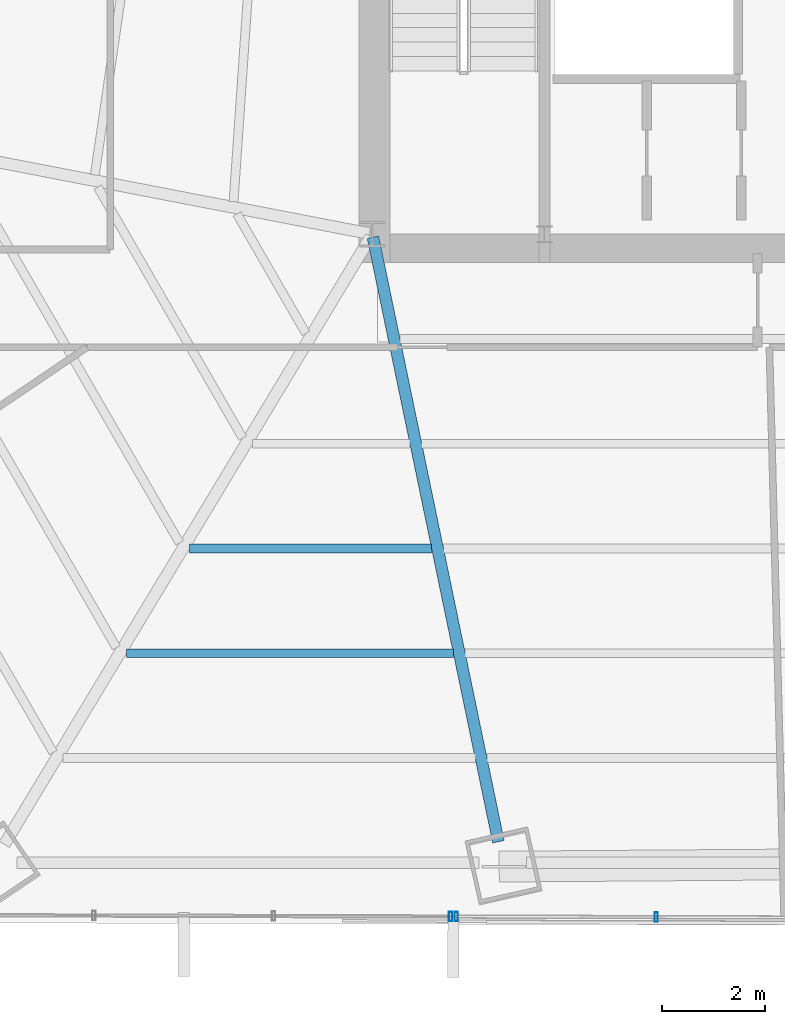
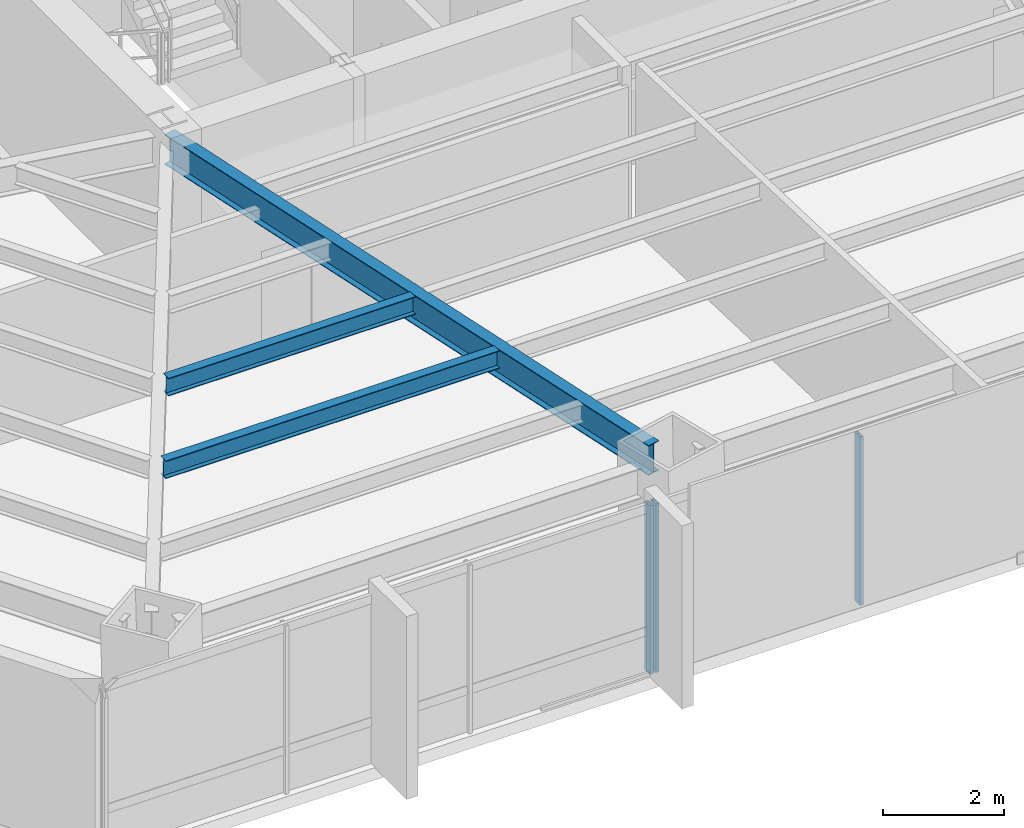
# One storey, part 5 of 33: 3 beams, 3 members, 2 elements without a shape of their own.
"""IFC4 building model written with IfcOpenShell, lengths in metres."""

from ifc_helpers import new_model, si_unit, direction, frame, origin, origin_2d, place, context, subcontext, project, spatial, hollow_rectangle, i_section, extrude, source, transform, mapped, material, material_profile, profile_set, type_object, type_shapes, element, aggregate, save


model = new_model("IFC4")

# Units and contexts
model_context = context("Model", 3, precision=1e-05, world=origin(), true_north=direction((0.0, 1.0)))
body_context = subcontext(model_context, "Body", "Model", "MODEL_VIEW")
ifc_project = project(units=[si_unit("LENGTHUNIT", "METRE"), si_unit("AREAUNIT", "SQUARE_METRE"), si_unit("VOLUMEUNIT", "CUBIC_METRE"), si_unit("PLANEANGLEUNIT", "RADIAN"), si_unit("MASSUNIT", "GRAM", prefix="KILO")], contexts=[model_context])

# Site, building, storey
site_placement = place(None, origin())
site = spatial("IfcSite", under=ifc_project, at=site_placement, CompositionType="ELEMENT")
building_placement = place(site_placement, origin())
building = spatial("IfcBuilding", under=site, at=building_placement, Name="Caelisora Broadcast Tower", CompositionType="ELEMENT")
storey_placement = place(building_placement, frame((0.0, 0.0, 42.199951171875)))
storey = spatial("IfcBuildingStorey", under=building, at=storey_placement, Name="L10", CompositionType="ELEMENT", Elevation=42.199951171875)

# Beams
ifc_material_1 = material(Name="Steel Grade 350 (AS/NZS 3679.1)", Category="steel")
ifc_material_profile_1 = material_profile(ifc_material_1, i_section(OverallWidth=0.22802734375, OverallDepth=0.602294921875, WebThickness=0.010498046875, FlangeThickness=0.014892578125, at=origin_2d()), Name="Steel Grade 350 (AS/NZS 3679.1)")
ifc_profile_set_1 = profile_set([ifc_material_profile_1], Name="Steel Grade 350 (AS/NZS 3679.1)")
beam_type_1 = type_object("IfcBeamType", Name="PG04", PredefinedType="BEAM", material=ifc_profile_set_1)
shared_shape_1 = source(origin(), body_context, "Body", "SweptSolid", [
    extrude(i_section(OverallWidth=0.22802734375, OverallDepth=0.602294921875, WebThickness=0.010498046875, FlangeThickness=0.014892578125, at=origin_2d()), origin(), (0.0, 0.0, 1.0), 12.01953125),
])
type_shapes(beam_type_1, [shared_shape_1])
beam_1_placement = place(storey_placement, frame((30.51220703125, 17.34130859375, 3.098876953125), z_axis=(0.203243645956, -0.979128194047, 0.0), x_axis=(0.979128194047, 0.203243645956, 0.0)))
element("IfcBeam", 1, at=beam_1_placement, inside=storey, type_object=beam_type_1, Name="L10 beam PG04", PredefinedType="BEAM", context=body_context, shape_type="MappedRepresentation", body=[
    mapped(shared_shape_1, transform((0.0, 0.0, 0.0), scale=1.0)),
])
ifc_material_profile_2 = material_profile(ifc_material_1, i_section(OverallWidth=0.172119140625, OverallDepth=0.358642578125, WebThickness=0.008056640625, FlangeThickness=0.012939453125, at=origin_2d()), Name="Steel Grade 350 (AS/NZS 3679.1)")
ifc_profile_set_2 = profile_set([ifc_material_profile_2], Name="Steel Grade 350 (AS/NZS 3679.1)")
beam_type_2 = type_object("IfcBeamType", Name="SB02", PredefinedType="JOIST", material=ifc_profile_set_2)
shared_shape_2 = source(origin(), body_context, "Body", "SweptSolid", [
    extrude(i_section(OverallWidth=0.172119140625, OverallDepth=0.358642578125, WebThickness=0.008056640625, FlangeThickness=0.012939453125, at=origin_2d()), origin(), (0.0, 0.0, 1.0), 4.716064453125),
])
beam_2_placement = place(storey_placement, frame((26.94091796875, 11.28076171875, 3.220703125), z_axis=(1.0, 0.0, 0.0), x_axis=(0.0, 1.0, 0.0)))
element("IfcBeam", 2, at=beam_2_placement, inside=storey, type_object=beam_type_2, Name="L10 beam SB02", PredefinedType="JOIST", context=body_context, shape_type="MappedRepresentation", body=[
    mapped(shared_shape_2, transform((0.0, 0.0, 0.0), scale=1.0)),
])
shared_shape_3 = source(origin(), body_context, "Body", "SweptSolid", [
    extrude(i_section(OverallWidth=0.172119140625, OverallDepth=0.358642578125, WebThickness=0.008056640625, FlangeThickness=0.012939453125, at=origin_2d()), origin(), (0.0, 0.0, 1.0), 6.369140625),
])
type_shapes(beam_type_2, [shared_shape_2, shared_shape_3])
beam_3_placement = place(storey_placement, frame((25.711181640625, 9.240966796875, 3.220703125), z_axis=(1.0, 0.0, 0.0), x_axis=(0.0, 1.0, 0.0)))
element("IfcBeam", 3, at=beam_3_placement, inside=storey, type_object=beam_type_2, Name="L10 beam SB02", PredefinedType="JOIST", context=body_context, shape_type="MappedRepresentation", body=[
    mapped(shared_shape_3, transform((0.0, 0.0, 0.0), scale=1.0)),
])

# Curtain wall, members
ifc_material_2 = material(Name="Unitised Aluminium Insulated Shadow-Box Spandrel Curtain Wall", Category="aluminium")
curtain_wall_type_1 = type_object("IfcCurtainWallType", Name="CW-SP1", PredefinedType="NOTDEFINED", material=ifc_material_2)
curtain_wall_1_placement = place(storey_placement, origin())
curtain_wall_1 = element("IfcCurtainWall", 4, at=curtain_wall_1_placement, inside=storey, type_object=curtain_wall_type_1, Name="L10 curtain wall CW-SP1", PredefinedType="NOTDEFINED")
ifc_material_3 = material(Name="Aluminium 6063-T6 Anodised Terracotta Bronze", Category="aluminium")
ifc_material_profile_3 = material_profile(ifc_material_3, hollow_rectangle(XDim=0.06494140625, YDim=0.179931640625, WallThickness=0.00341796875, at=origin_2d()), Name="Aluminium 6063-T6 Anodised Terracotta Bronze")
ifc_profile_set_3 = profile_set([ifc_material_profile_3], Name="Aluminium 6063-T6 Anodised Terracotta Bronze")
member_type = type_object("IfcMemberType", Name="CWM-02", PredefinedType="MULLION", material=ifc_profile_set_3)
shared_shape_4 = source(origin(), body_context, "Body", "SweptSolid", [
    extrude(hollow_rectangle(XDim=0.06494140625, YDim=0.179931640625, WallThickness=0.00341796875, at=origin_2d()), origin(), (0.0, 0.0, 1.0), 3.400146484375),
])
type_shapes(member_type, [shared_shape_4])
member_1_placement = place(storey_placement, frame((36.0263671875, 4.10595703125, 0.0), z_axis=(0.0, 0.0, 1.0), x_axis=(1.0, 0.0, 0.0)))
member_1 = element("IfcMember", 5, at=member_1_placement, type_object=member_type, Name="L10-CW-B06 mullion #2", PredefinedType="MULLION", context=body_context, shape_type="MappedRepresentation", body=[
    mapped(shared_shape_4, transform((0.0, 0.0, 0.0), scale=1.0)),
])
member_2_placement = place(storey_placement, frame((32.13427734375, 4.11669921875, 0.0), z_axis=(0.0, 0.0, 1.0), x_axis=(1.0, 0.0, 0.0)))
member_2 = element("IfcMember", 6, at=member_2_placement, type_object=member_type, Name="L10-CW-B06 mullion #3", PredefinedType="MULLION", context=body_context, shape_type="MappedRepresentation", body=[
    mapped(shared_shape_4, transform((0.0, 0.0, 0.0), scale=1.0)),
])
aggregate(curtain_wall_1, [member_1, member_2])

# Curtain wall, member
ifc_material_4 = material(Name="Unitised Aluminium and Low-E Glass Curtain Wall", Category="glass")
curtain_wall_type_2 = type_object("IfcCurtainWallType", Name="CW-Z1", PredefinedType="NOTDEFINED", material=ifc_material_4)
curtain_wall_2_placement = place(storey_placement, origin())
curtain_wall_2 = element("IfcCurtainWall", 7, at=curtain_wall_2_placement, inside=storey, type_object=curtain_wall_type_2, Name="L10 curtain wall CW-Z1", PredefinedType="NOTDEFINED")
member_3_placement = place(storey_placement, frame((32.0244140625, 4.116943359375, 0.0), z_axis=(0.0, 0.0, 1.0), x_axis=(1.0, 0.0, 0.0)))
member_3 = element("IfcMember", 8, at=member_3_placement, type_object=member_type, Name="L10-CW-B07 mullion #0", PredefinedType="MULLION", context=body_context, shape_type="MappedRepresentation", body=[
    mapped(shared_shape_4, transform((0.0, 0.0, 0.0), scale=1.0)),
])
aggregate(curtain_wall_2, [member_3])

save(model, "model.ifc")
